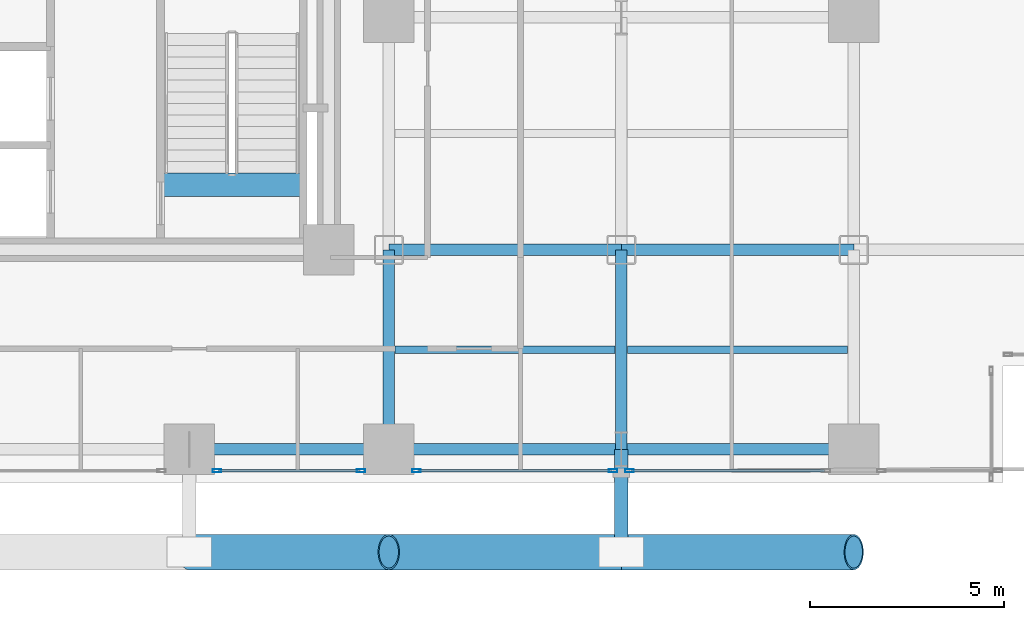
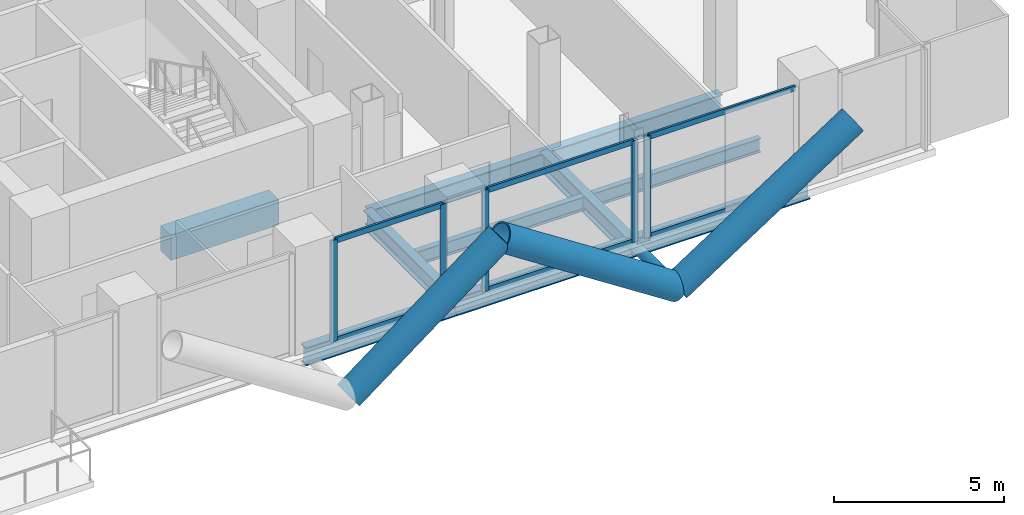
# One storey, part 8 of 25: 15 members, 10 beams, 3 elements without a shape of their own.
"""IFC4 building model written with IfcOpenShell, lengths in metres."""

from ifc_helpers import new_model, si_unit, direction, frame, origin, origin_2d, place, context, subcontext, project, spatial, rectangle, hollow_rectangle, hollow_circle, i_section, extrude, material, layer, layer_set, material_profile, profile_set, type_object, element, aggregate, save


model = new_model("IFC4")

# Units and contexts
model_context = context("Model", 3, precision=1e-05, world=origin(), true_north=direction((0.0, 1.0)))
body_context = subcontext(model_context, "Body", "Model", "MODEL_VIEW")
ifc_project = project(units=[si_unit("LENGTHUNIT", "METRE"), si_unit("AREAUNIT", "SQUARE_METRE"), si_unit("VOLUMEUNIT", "CUBIC_METRE"), si_unit("PLANEANGLEUNIT", "RADIAN"), si_unit("MASSUNIT", "GRAM", prefix="KILO"), si_unit("THERMODYNAMICTEMPERATUREUNIT", "KELVIN"), si_unit("POWERUNIT", "WATT")], contexts=[model_context])

# Site, building, storey
site_placement = place(None, origin())
site = spatial("IfcSite", under=ifc_project, at=site_placement, CompositionType="ELEMENT")
building_placement = place(site_placement, origin())
building = spatial("IfcBuilding", under=site, at=building_placement, Name="Svarakhadi Broadcast Tower", CompositionType="ELEMENT")
storey_placement = place(building_placement, frame((0.0, 0.0, 32.39990234375)))
storey = spatial("IfcBuildingStorey", under=building, at=storey_placement, Name="L06", CompositionType="ELEMENT", Elevation=32.39990234375)

# Beams
ifc_material_1 = material(Name="Steel S355J2 (IS 2062 E350C)", Category="steel")
ifc_material_profile_1 = material_profile(ifc_material_1, i_section(OverallWidth=0.199951171875, OverallDepth=0.5, WebThickness=0.01025390625, FlangeThickness=0.01611328125, FilletRadius=0.02099609375, at=origin_2d()), Name="NPB 500x200x91")
ifc_profile_set_1 = profile_set([ifc_material_profile_1], Name="Steel S355J2 (IS 2062 E350C)")
beam_type_1 = type_object("IfcBeamType", Name="Beam_NPB500", PredefinedType="BEAM", material=ifc_profile_set_1)
for number, where, z_axis, x_axis, name in (
    (1, (35.31005859375, 3.425048828125, -0.5), (1.0, 0.0, 0.0), (0.0, 1.0, 0.0), "L06 Secondary Composite Beam SB022"),
    (2, (41.31005859375, 3.425048828125, -0.5), (1.0, 0.0, 0.0), (0.0, 1.0, 0.0), "L06 Secondary Composite Beam SB025"),
):
    element("IfcBeam", number, at=place(storey_placement, frame(where, z_axis=z_axis, x_axis=x_axis)), inside=storey, type_object=beam_type_1, Name=name, PredefinedType="BEAM", context=body_context, shape_type="SweptSolid", body=[
        extrude(i_section(OverallWidth=0.199951171875, OverallDepth=0.5, WebThickness=0.01025390625, FlangeThickness=0.01611328125, FilletRadius=0.02099609375, at=origin_2d()), origin(), (0.0, 0.0, 1.0), 5.679931640625),
    ])

# Curtain wall, member
ifc_material_2 = material(Name="Anodised Bronze Aluminium AA 6063-T6", Category="aluminium")
ifc_layer = layer(ifc_material_2, 0.219970703125)
ifc_layer_set = layer_set([ifc_layer], Name="Anodised Bronze Aluminium AA 6063-T6")
curtain_wall_type = type_object("IfcCurtainWallType", Name="CW_Sys_02", PredefinedType="NOTDEFINED", material=ifc_layer_set)
curtain_wall_1_placement = place(storey_placement, origin())
curtain_wall_1 = element("IfcCurtainWall", 3, at=curtain_wall_1_placement, inside=storey, type_object=curtain_wall_type, Name="L06 South Curtain Wall 16 Bay 2", PredefinedType="NOTDEFINED")
ifc_material_profile_2 = material_profile(ifc_material_2, hollow_rectangle(XDim=0.0849609375, YDim=0.219970703125, WallThickness=0.006103515625, at=origin_2d()), Name="ALU MULLION 220x85x6")
ifc_profile_set_2 = profile_set([ifc_material_profile_2], Name="Anodised Bronze Aluminium AA 6063-T6")
member_type_1 = type_object("IfcMemberType", Name="CW_Sys_02_Mul", PredefinedType="MULLION", material=ifc_profile_set_2)
member_1_placement = place(storey_placement, frame((41.362548828125, 0.300048828125, 0.0), z_axis=(0.0, 0.0, 1.0), x_axis=(0.0, -1.0, 0.0)))
member_1 = element("IfcMember", 4, at=member_1_placement, type_object=member_type_1, Name="CW-02 mullion 2", PredefinedType="MULLION", context=body_context, shape_type="SweptSolid", body=[
    extrude(hollow_rectangle(XDim=0.0849609375, YDim=0.219970703125, WallThickness=0.006103515625, at=origin_2d()), origin(), (0.0, 0.0, 1.0), 3.650146484375),
])

# Curtain wall, members
curtain_wall_2_placement = place(storey_placement, origin())
curtain_wall_2 = element("IfcCurtainWall", 5, at=curtain_wall_2_placement, inside=storey, type_object=curtain_wall_type, Name="L06 South Curtain Wall 16 Bay 3", PredefinedType="NOTDEFINED")
member_2_placement = place(storey_placement, frame((40.9375, 0.300048828125, 0.0), z_axis=(0.0, 0.0, 1.0), x_axis=(0.0, -1.0, 0.0)))
member_2 = element("IfcMember", 6, at=member_2_placement, type_object=member_type_1, Name="CW-02 mullion 1", PredefinedType="MULLION", context=body_context, shape_type="SweptSolid", body=[
    extrude(hollow_rectangle(XDim=0.0849609375, YDim=0.219970703125, WallThickness=0.006103515625, at=origin_2d()), origin(), (0.0, 0.0, 1.0), 3.650146484375),
])
member_3_placement = place(storey_placement, frame((35.862548828125, 0.300048828125, 0.0), z_axis=(0.0, 0.0, 1.0), x_axis=(0.0, -1.0, 0.0)))
member_3 = element("IfcMember", 7, at=member_3_placement, type_object=member_type_1, Name="CW-02 mullion 2", PredefinedType="MULLION", context=body_context, shape_type="SweptSolid", body=[
    extrude(hollow_rectangle(XDim=0.0849609375, YDim=0.219970703125, WallThickness=0.006103515625, at=origin_2d()), origin(), (0.0, 0.0, 1.0), 3.650146484375),
])

curtain_wall_3_placement = place(storey_placement, origin())
curtain_wall_3 = element("IfcCurtainWall", 8, at=curtain_wall_3_placement, inside=storey, type_object=curtain_wall_type, Name="L06 South Curtain Wall 16 Bay 4", PredefinedType="NOTDEFINED")
member_4_placement = place(storey_placement, frame((34.4375, 0.300048828125, 0.0), z_axis=(0.0, 0.0, 1.0), x_axis=(0.0, -1.0, 0.0)))
member_4 = element("IfcMember", 9, at=member_4_placement, type_object=member_type_1, Name="CW-02 mullion 1", PredefinedType="MULLION", context=body_context, shape_type="SweptSolid", body=[
    extrude(hollow_rectangle(XDim=0.0849609375, YDim=0.219970703125, WallThickness=0.006103515625, at=origin_2d()), origin(), (0.0, 0.0, 1.0), 3.650146484375),
])
member_5_placement = place(storey_placement, frame((30.71240234375, 0.300048828125, 0.0), z_axis=(0.0, 0.0, 1.0), x_axis=(0.0, -1.0, 0.0)))
member_5 = element("IfcMember", 10, at=member_5_placement, type_object=member_type_1, Name="CW-02 mullion 2", PredefinedType="MULLION", context=body_context, shape_type="SweptSolid", body=[
    extrude(hollow_rectangle(XDim=0.0849609375, YDim=0.219970703125, WallThickness=0.006103515625, at=origin_2d()), origin(), (0.0, 0.0, 1.0), 3.650146484375),
])

# Member
ifc_material_profile_3 = material_profile(ifc_material_2, hollow_rectangle(XDim=0.074951171875, YDim=0.199951171875, WallThickness=0.0048828125, at=origin_2d()), Name="ALU TRANSOM 200x75x5")
ifc_profile_set_3 = profile_set([ifc_material_profile_3], Name="Anodised Bronze Aluminium AA 6063-T6")
member_type_2 = type_object("IfcMemberType", Name="CW_Sys_02_Trn", PredefinedType="USERDEFINED", material=ifc_profile_set_3)
member_6_placement = place(storey_placement, frame((46.39501953125, 0.300048828125, 0.03759765625), z_axis=(-1.0, 0.0, 0.0), x_axis=(0.0, -1.0, 0.0)))
member_6 = element("IfcMember", 11, at=member_6_placement, type_object=member_type_2, Name="CW-02 transom 1.1", ObjectType="TRANSOM", PredefinedType="USERDEFINED", context=body_context, shape_type="SweptSolid", body=[
    extrude(hollow_rectangle(XDim=0.074951171875, YDim=0.199951171875, WallThickness=0.0048828125, at=origin_2d()), origin(), (0.0, 0.0, 1.0), 4.989990234375),
])

member_7_placement = place(storey_placement, frame((46.39501953125, 0.300048828125, 3.612548828125), z_axis=(-1.0, 0.0, 0.0), x_axis=(0.0, -1.0, 0.0)))
member_7 = element("IfcMember", 12, at=member_7_placement, type_object=member_type_2, Name="CW-02 transom 1.2", ObjectType="TRANSOM", PredefinedType="USERDEFINED", context=body_context, shape_type="SweptSolid", body=[
    extrude(hollow_rectangle(XDim=0.074951171875, YDim=0.199951171875, WallThickness=0.0048828125, at=origin_2d()), origin(), (0.0, 0.0, 1.0), 4.989990234375),
])

aggregate(curtain_wall_1, [member_1, member_6, member_7])

member_8_placement = place(storey_placement, frame((40.89501953125, 0.300048828125, 0.03759765625), z_axis=(-1.0, 0.0, 0.0), x_axis=(0.0, -1.0, 0.0)))
member_8 = element("IfcMember", 13, at=member_8_placement, type_object=member_type_2, Name="CW-02 transom 1.1", ObjectType="TRANSOM", PredefinedType="USERDEFINED", context=body_context, shape_type="SweptSolid", body=[
    extrude(hollow_rectangle(XDim=0.074951171875, YDim=0.199951171875, WallThickness=0.0048828125, at=origin_2d()), origin(), (0.0, 0.0, 1.0), 4.989990234375),
])

member_9_placement = place(storey_placement, frame((40.89501953125, 0.300048828125, 3.612548828125), z_axis=(-1.0, 0.0, 0.0), x_axis=(0.0, -1.0, 0.0)))
member_9 = element("IfcMember", 14, at=member_9_placement, type_object=member_type_2, Name="CW-02 transom 1.2", ObjectType="TRANSOM", PredefinedType="USERDEFINED", context=body_context, shape_type="SweptSolid", body=[
    extrude(hollow_rectangle(XDim=0.074951171875, YDim=0.199951171875, WallThickness=0.0048828125, at=origin_2d()), origin(), (0.0, 0.0, 1.0), 4.989990234375),
])

aggregate(curtain_wall_2, [member_2, member_3, member_8, member_9])

member_10_placement = place(storey_placement, frame((34.39501953125, 0.300048828125, 0.03759765625), z_axis=(-1.0, 0.0, 0.0), x_axis=(0.0, -1.0, 0.0)))
member_10 = element("IfcMember", 15, at=member_10_placement, type_object=member_type_2, Name="CW-02 transom 1.1", ObjectType="TRANSOM", PredefinedType="USERDEFINED", context=body_context, shape_type="SweptSolid", body=[
    extrude(hollow_rectangle(XDim=0.074951171875, YDim=0.199951171875, WallThickness=0.0048828125, at=origin_2d()), origin(), (0.0, 0.0, 1.0), 3.64013671875),
])

member_11_placement = place(storey_placement, frame((34.39501953125, 0.300048828125, 3.612548828125), z_axis=(-1.0, 0.0, 0.0), x_axis=(0.0, -1.0, 0.0)))
member_11 = element("IfcMember", 16, at=member_11_placement, type_object=member_type_2, Name="CW-02 transom 1.2", ObjectType="TRANSOM", PredefinedType="USERDEFINED", context=body_context, shape_type="SweptSolid", body=[
    extrude(hollow_rectangle(XDim=0.074951171875, YDim=0.199951171875, WallThickness=0.0048828125, at=origin_2d()), origin(), (0.0, 0.0, 1.0), 3.64013671875),
])

aggregate(curtain_wall_3, [member_4, member_5, member_10, member_11])

# Beam
ifc_material_3 = material(Name="Concrete C50/60 (IS 456 M60)", Category="concrete")
ifc_material_profile_4 = material_profile(ifc_material_3, rectangle(XDim=0.60009765625, YDim=0.89990234375, at=origin_2d()), Name="RC 600x900")
ifc_profile_set_4 = profile_set([ifc_material_profile_4], Name="Concrete C50/60 (IS 456 M60)")
beam_type_2 = type_object("IfcBeamType", Name="Coupling_RC600", PredefinedType="USERDEFINED", material=ifc_profile_set_4)
beam_1_placement = place(storey_placement, frame((29.260009765625, 7.679931640625, -0.449951171875), z_axis=(1.0, 0.0, 0.0), x_axis=(0.0, 1.0, 0.0)))
element("IfcBeam", 17, at=beam_1_placement, inside=storey, type_object=beam_type_2, Name="L06 Stair ST-02 Landing Throat Trimmer Beam CB-01", ObjectType="GIRDER", PredefinedType="USERDEFINED", context=body_context, shape_type="SweptSolid", body=[
    extrude(rectangle(XDim=0.60009765625, YDim=0.89990234375, at=origin_2d()), origin(), (0.0, 0.0, 1.0), 3.679931640625),
])

# Members
ifc_material_4 = material(Name="Steel S460ML (IS 2062 E450BR)", Category="steel")
ifc_material_profile_5 = material_profile(ifc_material_4, hollow_circle(Radius=0.45703125, WallThickness=0.044921875, at=origin_2d()), Name="CHS 914x45")
ifc_profile_set_5 = profile_set([ifc_material_profile_5], Name="Steel S460ML (IS 2062 E450BR)")
member_type_3 = type_object("IfcMemberType", Name="Exo_Brace_CHS914", PredefinedType="BRACE", material=ifc_profile_set_5)
member_12_placement = place(storey_placement, frame((30.0, -1.800048828125, -0.427734375), z_axis=(0.797188602897, 0.0, 0.603730346605), x_axis=(0.0, 1.0, 0.0)))
element("IfcMember", 18, at=member_12_placement, inside=storey, type_object=member_type_3, Name="L06 Exposed Bronze Exoskeleton Diagonal S02", PredefinedType="BRACE", context=body_context, shape_type="SweptSolid", body=[
    extrude(hollow_circle(Radius=0.45703125, WallThickness=0.044921875, at=origin_2d()), origin(), (0.0, 0.0, 1.0), 6.4599609375),
])
for number, where, z_axis, x_axis, name in (
    (19, (41.14990234375, -1.800048828125, -0.427734375), (-0.838434262763, 0.0, 0.545002740383), (0.0, -1.0, 0.0), "L06 Exposed Bronze Exoskeleton Diagonal S03"),
    (20, (41.14990234375, -1.800048828125, -0.427734375), (0.838434262763, 0.0, 0.545002740383), (0.0, 1.0, 0.0), "L06 Exposed Bronze Exoskeleton Diagonal S04"),
):
    element("IfcMember", number, at=place(storey_placement, frame(where, z_axis=z_axis, x_axis=x_axis)), inside=storey, type_object=member_type_3, Name=name, PredefinedType="BRACE", context=body_context, shape_type="SweptSolid", body=[
        extrude(hollow_circle(Radius=0.45703125, WallThickness=0.044921875, at=origin_2d()), origin(), (0.0, 0.0, 1.0), 7.15625),
    ])
ifc_material_profile_6 = material_profile(ifc_material_4, hollow_circle(Radius=0.177734375, WallThickness=0.02001953125, at=origin_2d()), Name="CHS 355.6x20")
ifc_profile_set_6 = profile_set([ifc_material_profile_6], Name="Steel S460ML (IS 2062 E450BR)")
member_type_4 = type_object("IfcMemberType", Name="Exo_Radial_Strut_Z1", PredefinedType="STRUT", material=ifc_profile_set_6)
member_13_placement = place(storey_placement, frame((41.14990234375, -1.800048828125, -0.427734375), z_axis=(0.0, 1.0, 0.0), x_axis=(-1.0, 0.0, 0.0)))
element("IfcMember", 21, at=member_13_placement, inside=storey, type_object=member_type_4, Name="L06 Exoskeleton Radial Tie Strut S02", PredefinedType="STRUT", context=body_context, shape_type="SweptSolid", body=[
    extrude(hollow_circle(Radius=0.177734375, WallThickness=0.02001953125, at=origin_2d()), origin(), (0.0, 0.0, 1.0), 2.650146484375),
])

# Beams
ifc_material_profile_7 = material_profile(ifc_material_1, i_section(OverallWidth=0.300048828125, OverallDepth=0.64990234375, WebThickness=0.01611328125, FlangeThickness=0.031005859375, FilletRadius=0.027099609375, at=origin_2d()), Name="WPB 650x300x225")
ifc_profile_set_7 = profile_set([ifc_material_profile_7], Name="Steel S355J2 (IS 2062 E350C)")
beam_type_3 = type_object("IfcBeamType", Name="Girder_WPB650", PredefinedType="USERDEFINED", material=ifc_profile_set_7)
beam_2_placement = place(storey_placement, frame((30.0, 0.85009765625, -0.574951171875), z_axis=(1.0, 0.0, 0.0), x_axis=(0.0, 1.0, 0.0)))
element("IfcBeam", 22, at=beam_2_placement, inside=storey, type_object=beam_type_3, Name="L06 Primary E-W Girder G008", ObjectType="GIRDER", PredefinedType="USERDEFINED", context=body_context, shape_type="SweptSolid", body=[
    extrude(i_section(OverallWidth=0.300048828125, OverallDepth=0.64990234375, WebThickness=0.01611328125, FlangeThickness=0.031005859375, FilletRadius=0.027099609375, at=origin_2d()), origin(), (0.0, 0.0, 1.0), 5.14990234375),
])
for number, where, z_axis, x_axis, name in (
    (23, (35.14990234375, 0.85009765625, -0.574951171875), (1.0, 0.0, 0.0), (0.0, 1.0, 0.0), "L06 Primary E-W Girder G009"),
    (24, (41.14990234375, 0.85009765625, -0.574951171875), (1.0, 0.0, 0.0), (0.0, 1.0, 0.0), "L06 Primary E-W Girder G010"),
    (25, (35.14990234375, 6.0, -0.574951171875), (1.0, 0.0, 0.0), (0.0, 1.0, 0.0), "L06 Primary E-W Girder G016"),
    (26, (41.14990234375, 6.0, -0.574951171875), (1.0, 0.0, 0.0), (0.0, 1.0, 0.0), "L06 Primary E-W Girder G017"),
):
    element("IfcBeam", number, at=place(storey_placement, frame(where, z_axis=z_axis, x_axis=x_axis)), inside=storey, type_object=beam_type_3, Name=name, ObjectType="GIRDER", PredefinedType="USERDEFINED", context=body_context, shape_type="SweptSolid", body=[
        extrude(i_section(OverallWidth=0.300048828125, OverallDepth=0.64990234375, WebThickness=0.01611328125, FlangeThickness=0.031005859375, FilletRadius=0.027099609375, at=origin_2d()), origin(), (0.0, 0.0, 1.0), 6.0),
    ])
for number, where, z_axis, x_axis, name in (
    (27, (35.14990234375, 0.85009765625, -0.574951171875), (0.0, 1.0, 0.0), (-1.0, 0.0, 0.0), "L06 Primary N-S Girder G076"),
    (28, (41.14990234375, 0.85009765625, -0.574951171875), (0.0, 1.0, 0.0), (-1.0, 0.0, 0.0), "L06 Primary N-S Girder G079"),
):
    element("IfcBeam", number, at=place(storey_placement, frame(where, z_axis=z_axis, x_axis=x_axis)), inside=storey, type_object=beam_type_3, Name=name, ObjectType="GIRDER", PredefinedType="USERDEFINED", context=body_context, shape_type="SweptSolid", body=[
        extrude(i_section(OverallWidth=0.300048828125, OverallDepth=0.64990234375, WebThickness=0.01611328125, FlangeThickness=0.031005859375, FilletRadius=0.027099609375, at=origin_2d()), origin(), (0.0, 0.0, 1.0), 5.14990234375),
    ])

save(model, "model.ifc")
